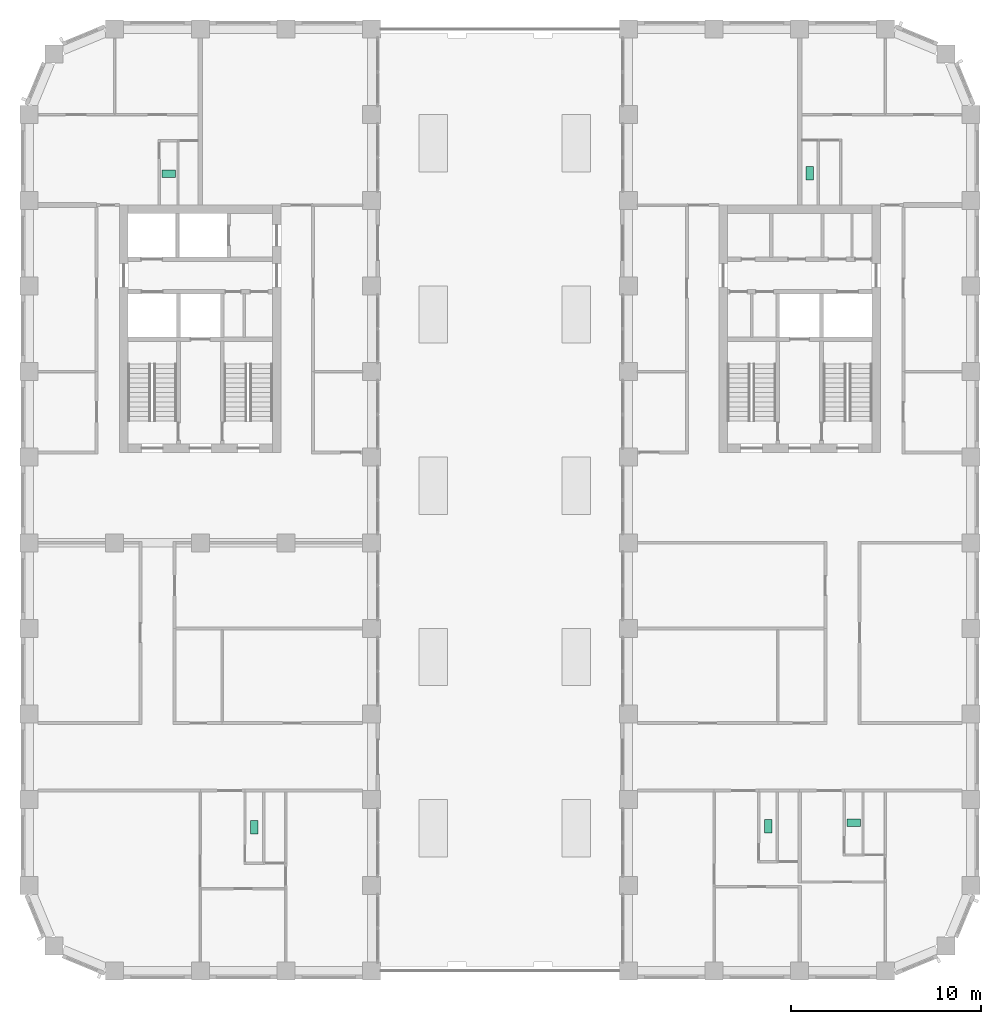
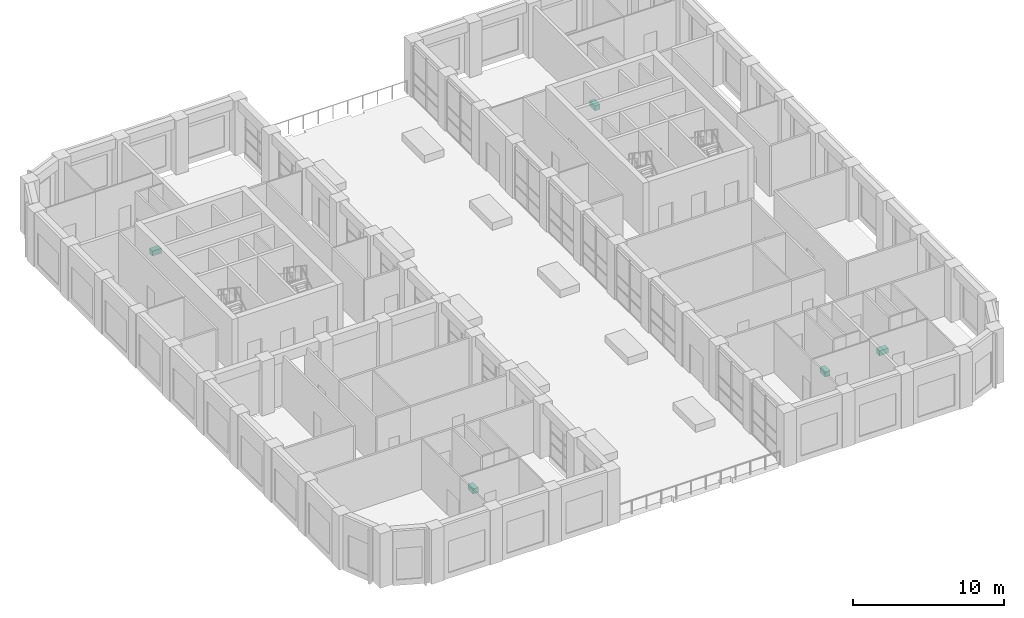
# One storey, part 19 of 20: 5 sanitary terminals.
"""IFC4 building model written with IfcOpenShell, lengths in metres."""

from ifc_helpers import new_model, si_unit, direction, frame, origin, origin_2d, place, context, subcontext, project, spatial, rectangle, extrude, material, type_object, element, save


model = new_model("IFC4")

# Units and contexts
model_context = context("Model", 3, precision=1e-05, world=origin(), true_north=direction((0.0, 1.0)))
body_context = subcontext(model_context, "Body", "Model", "MODEL_VIEW")
ifc_project = project(units=[si_unit("LENGTHUNIT", "METRE"), si_unit("AREAUNIT", "SQUARE_METRE"), si_unit("VOLUMEUNIT", "CUBIC_METRE"), si_unit("PLANEANGLEUNIT", "RADIAN"), si_unit("MASSUNIT", "GRAM", prefix="KILO")], contexts=[model_context])

# Site, building, storey
site_placement = place(None, origin())
site = spatial("IfcSite", under=ifc_project, at=site_placement, CompositionType="ELEMENT")
building_placement = place(site_placement, origin())
building = spatial("IfcBuilding", under=site, at=building_placement, Name="Girih Gate Residences", CompositionType="ELEMENT")
storey_placement = place(building_placement, frame((0.0, 0.0, 146.199951171875)))
storey = spatial("IfcBuildingStorey", under=building, at=storey_placement, Name="L41", CompositionType="ELEMENT", Elevation=146.199951171875)

# Sanitary terminals
ifc_material = material(Name="Vitreous china")
sanitary_terminal_type = type_object("IfcSanitaryTerminalType", Name="WC pan", PredefinedType="TOILETPAN", material=ifc_material)
sanitary_terminal_placement = place(storey_placement, frame((11.837890625, 7.55908203125, 0.0), z_axis=(0.0, 0.0, 1.0), x_axis=(1.0, 0.0, 0.0)))
element("IfcSanitaryTerminal", 1, at=sanitary_terminal_placement, inside=storey, type_object=sanitary_terminal_type, Name="WC pan L41", PredefinedType="TOILETPAN", context=body_context, shape_type="SweptSolid", body=[
    extrude(rectangle(XDim=0.39990234375, YDim=0.699951171875, at=origin_2d()), origin(), (0.0, 0.0, 1.0), 0.39990234375),
])
for number, where, z_axis, x_axis, name in (
    (2, (7.337890625, 41.904052734375, 0.0), (0.0, 0.0, 1.0), (1.0, 0.0, 0.0), "WC pan L41"),
    (3, (43.337890625, 7.779052734375, 0.0), (0.0, 0.0, 1.0), (1.0, 0.0, 0.0), "WC pan L41"),
):
    element("IfcSanitaryTerminal", number, at=place(storey_placement, frame(where, z_axis=z_axis, x_axis=x_axis)), inside=storey, type_object=sanitary_terminal_type, Name=name, PredefinedType="TOILETPAN", context=body_context, shape_type="SweptSolid", body=[
        extrude(rectangle(XDim=0.699951171875, YDim=0.39990234375, at=origin_2d()), origin(), (0.0, 0.0, 1.0), 0.39990234375),
    ])
for number, where, z_axis, x_axis, name in (
    (4, (38.837890625, 7.59912109375, 0.0), (0.0, 0.0, 1.0), (1.0, 0.0, 0.0), "WC pan L41"),
    (5, (41.02001953125, 41.924072265625, 0.0), (0.0, 0.0, 1.0), (1.0, 0.0, 0.0), "WC pan L41"),
):
    element("IfcSanitaryTerminal", number, at=place(storey_placement, frame(where, z_axis=z_axis, x_axis=x_axis)), inside=storey, type_object=sanitary_terminal_type, Name=name, PredefinedType="TOILETPAN", context=body_context, shape_type="SweptSolid", body=[
        extrude(rectangle(XDim=0.39990234375, YDim=0.699951171875, at=origin_2d()), origin(), (0.0, 0.0, 1.0), 0.39990234375),
    ])

save(model, "model.ifc")
